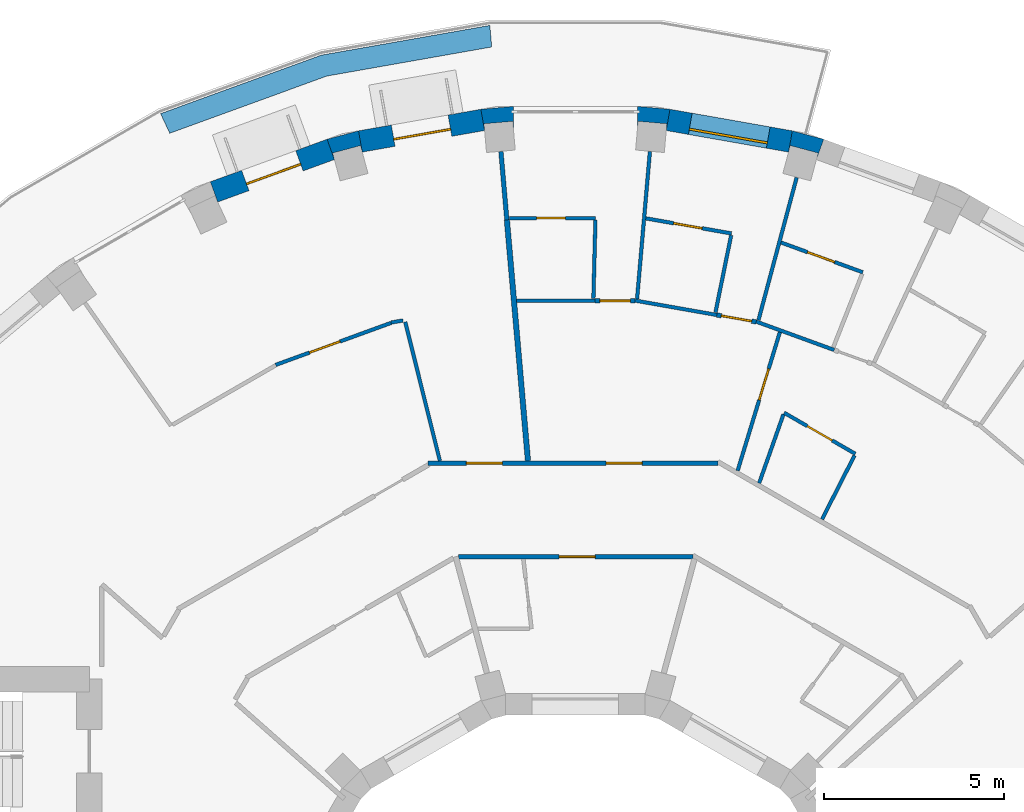
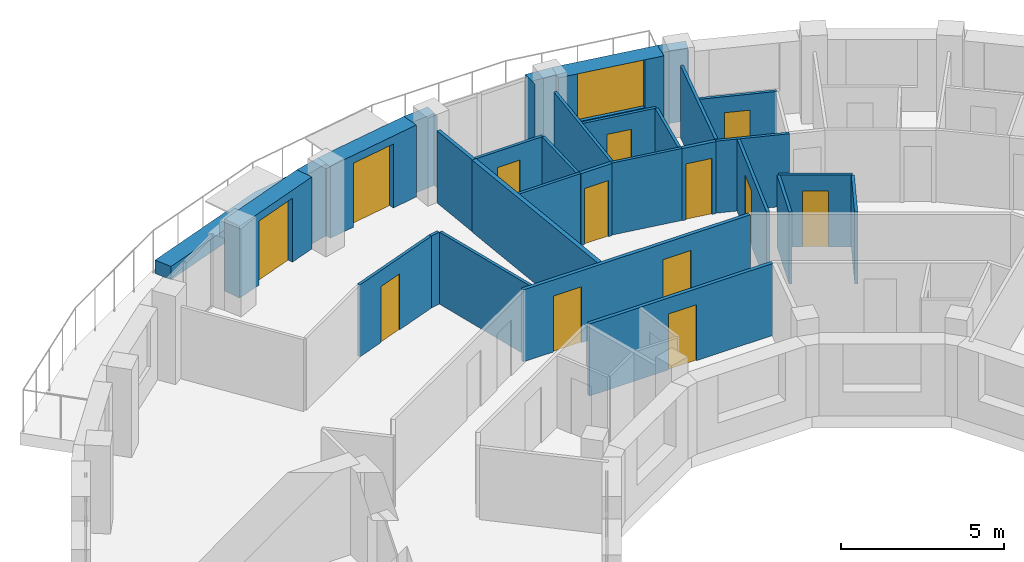
# One storey, part 11 of 14: 31 walls, 13 doors, 1 window, 14 openings.
"""IFC4 building model written with IfcOpenShell, lengths in metres."""

import ifcopenshell
import ifcopenshell.guid

model = None  # the IFC model being written
_history = None  # IfcOwnerHistory: only IFC2X3 demands one
_inside = {}  # id of a spatial element -> (the spatial element, [elements in it])
_under = {}  # id of a project, library or spatial element -> (it, [spatial elements below it])
_declared = {}  # id of a project -> (the project, [libraries it declares])
_typed = {}  # id of a type object -> (the type object, [elements of that type])
_made_of = {}  # id of a material, layer set ... -> (it, [elements and type objects made of it])


def new_model(schema):
    """Start an empty IFC model of exactly this schema.

    Asked for "IFC4X3", IfcOpenShell would pick the latest addendum, in which some entities
    have other attributes; the version numbers below select the first issue.
    IFC2X3 requires an IfcOwnerHistory on every rooted entity: one is made here for all.
    """
    global model, _history
    if schema == "IFC4X3":
        model = ifcopenshell.file(schema_version=(4, 3, 0, 0))
    else:
        model = ifcopenshell.file(schema=schema)
    _inside.clear()
    _under.clear()
    _declared.clear()
    _typed.clear()
    _made_of.clear()
    _history = None
    if model.schema == "IFC2X3":
        org = make("IfcOrganization", Name="unknown")
        user = make(
            "IfcPersonAndOrganization",
            ThePerson=make("IfcPerson", FamilyName="unknown"),
            TheOrganization=org,
        )
        app = make(
            "IfcApplication",
            ApplicationDeveloper=org,
            Version="unknown",
            ApplicationFullName="unknown",
            ApplicationIdentifier="unknown",
        )
        _history = make(
            "IfcOwnerHistory",
            OwningUser=user,
            OwningApplication=app,
            ChangeAction="ADDED",
            CreationDate=0,
        )
    return model


def make(cls, **values):
    """One entity of the class cls with the attributes given. An attribute that is None is left unset."""
    return model.create_entity(
        cls, **{name: value for name, value in values.items() if value is not None}
    )


def rooted(cls, **values):
    """An entity with a GlobalId (a new one), such as an element, a storey or a relation."""
    return make(cls, GlobalId=ifcopenshell.guid.new(), OwnerHistory=_history, **values)


def si_unit(unit_type, name, prefix=None):
    """IfcSIUnit, for example si_unit("LENGTHUNIT", "METRE", prefix="MILLI")."""
    return make("IfcSIUnit", UnitType=unit_type, Prefix=prefix, Name=name)


def assignment(units):
    """IfcUnitAssignment: the units of a project."""
    return None if units is None else make("IfcUnitAssignment", Units=units)


def point(xyz):
    """IfcCartesianPoint."""
    return None if xyz is None else make("IfcCartesianPoint", Coordinates=xyz)


def direction(xyz):
    """IfcDirection."""
    return None if xyz is None else make("IfcDirection", DirectionRatios=xyz)


def frame(location, z_axis=None, x_axis=None):
    """IfcAxis2Placement3D, a coordinate frame: its origin and axes. An axis left out is left unset."""
    return make(
        "IfcAxis2Placement3D",
        Location=point(location),
        Axis=direction(z_axis),
        RefDirection=direction(x_axis),
    )


def frame_2d(location, x_axis=None):
    """IfcAxis2Placement2D, a coordinate frame in the plane: its origin and x axis."""
    return make(
        "IfcAxis2Placement2D", Location=point(location), RefDirection=direction(x_axis)
    )


def origin():
    """The frame at (0, 0, 0) with its axes left unset."""
    return frame((0.0, 0.0, 0.0))


def place(relative_to, where):
    """IfcLocalPlacement: puts the frame where relative to a parent placement (None: the world)."""
    return make(
        "IfcLocalPlacement", PlacementRelTo=relative_to, RelativePlacement=where
    )


def context(
    kind, dimensions, precision=None, world=None, true_north=None, identifier=None
):
    """IfcGeometricRepresentationContext, for example the 3D "Model" context."""
    return make(
        "IfcGeometricRepresentationContext",
        ContextIdentifier=identifier,
        ContextType=kind,
        CoordinateSpaceDimension=dimensions,
        Precision=precision,
        WorldCoordinateSystem=world,
        TrueNorth=true_north,
    )


def subcontext(parent, identifier, kind, view, scale=None):
    """IfcGeometricRepresentationSubContext, for example "Body" below "Model"."""
    return make(
        "IfcGeometricRepresentationSubContext",
        ContextIdentifier=identifier,
        ContextType=kind,
        ParentContext=parent,
        TargetScale=scale,
        TargetView=view,
    )


def project(units=None, contexts=None):
    """IfcProject with its units and contexts."""
    return rooted(
        "IfcProject",
        Name="project",
        RepresentationContexts=contexts,
        UnitsInContext=assignment(units),
    )


def spatial(cls, under=None, at=None, **own):
    """A site, building, storey or space (cls), placed at a placement, below another one or the project."""
    s = rooted(cls, ObjectPlacement=at, **own)
    if under is not None:
        _under.setdefault(under.id(), (under, []))[1].append(s)
    return s


def polyline(points):
    """IfcPolyline through the points."""
    return make("IfcPolyline", Points=[point(p) for p in points])


def profile(cls, at=None, kind="AREA", **sizes):
    """A parametric profile (cls). Its sizes go by their IFC names, for example OverallWidth=200.0."""
    return make(cls, ProfileType=kind, Position=at, **sizes)


def rectangle(**sizes):
    """IfcRectangleProfileDef."""
    return profile("IfcRectangleProfileDef", **sizes)


def outline(outer, holes=None, kind="AREA"):
    """IfcArbitraryClosedProfileDef: a profile drawn as a closed curve; with holes, ...WithVoids."""
    if holes is None:
        return make("IfcArbitraryClosedProfileDef", ProfileType=kind, OuterCurve=outer)
    return make(
        "IfcArbitraryProfileDefWithVoids",
        ProfileType=kind,
        OuterCurve=outer,
        InnerCurves=holes,
    )


def extrude(swept, where, along, depth):
    """IfcExtrudedAreaSolid: the profile swept, set in the frame where, extruded along a direction by depth."""
    return make(
        "IfcExtrudedAreaSolid",
        SweptArea=swept,
        Position=where,
        ExtrudedDirection=direction(along),
        Depth=depth,
    )


def shape(context_of_items, identifier, shape_type, items):
    """IfcShapeRepresentation: the items that make up one representation, for example the "Body"."""
    return make(
        "IfcShapeRepresentation",
        ContextOfItems=context_of_items,
        RepresentationIdentifier=identifier,
        RepresentationType=shape_type,
        Items=items,
    )


def material(Name=None, Category=None):
    """IfcMaterial."""
    return make("IfcMaterial", Name=Name, Category=Category)


def layer(
    of_material, thickness, ventilated=None, Name=None, Category=None, Priority=None
):
    """IfcMaterialLayer: one layer of a wall or slab, of a material (None: an air gap)."""
    return make(
        "IfcMaterialLayer",
        Material=of_material,
        LayerThickness=thickness,
        IsVentilated=ventilated,
        Name=Name,
        Category=Category,
        Priority=Priority,
    )


def layer_set(layers, Name=None):
    """IfcMaterialLayerSet."""
    return make("IfcMaterialLayerSet", MaterialLayers=layers, LayerSetName=Name)


def made_of(thing, what):
    """Note that an element or type object is made of a material, layer set ...; save() writes the relation."""
    if what is not None:
        _made_of.setdefault(what.id(), (what, []))[1].append(thing)
    return thing


def type_object(cls, material=None, **own):
    """A type object (cls), such as IfcWallType, which elements share."""
    return made_of(rooted(cls, **own), material)


def element(
    cls,
    number,
    at=None,
    inside=None,
    cuts=None,
    type_object=None,
    material=None,
    context=None,
    identifier="Body",
    shape_type=None,
    held_by="IfcProductDefinitionShape",
    body=None,
    shapes=None,
    **own,
):
    """One element of the class cls, such as IfcWall. Its Tag is "e" and its number.

    at: its placement. inside: the storey or other place that contains it. cuts: it is an
    opening in that element (IfcRelVoidsElement). A single representation is given by context,
    identifier, shape_type and body (its items); several are given by shapes. held_by: the class
    of the entity that holds the representations. save() writes the other relations.
    """
    e = rooted(cls, Tag="e%d" % number, ObjectPlacement=at, **own)
    if body is not None:
        shapes = [shape(context, identifier, shape_type, body)]
    if shapes is not None:
        e.Representation = make(held_by, Representations=shapes)
    if inside is not None:
        _inside.setdefault(inside.id(), (inside, []))[1].append(e)
    if cuts is not None:
        rooted(
            "IfcRelVoidsElement", RelatingBuildingElement=cuts, RelatedOpeningElement=e
        )
    if type_object is not None:
        _typed.setdefault(type_object.id(), (type_object, []))[1].append(e)
    return made_of(e, material)


def fill(opening, filler):
    """IfcRelFillsElement: the door or window that sits in an opening."""
    return rooted(
        "IfcRelFillsElement",
        RelatingOpeningElement=opening,
        RelatedBuildingElement=filler,
    )


def aggregate(whole, parts):
    """IfcRelAggregates: a whole, such as a stair, and the parts it consists of."""
    return rooted("IfcRelAggregates", RelatingObject=whole, RelatedObjects=parts)


def save(model, path):
    """Write the relations noted so far, then the file.

    IfcRelAggregates (storeys below a building ...), IfcRelContainedInSpatialStructure (elements
    in a storey), IfcRelDefinesByType, IfcRelAssociatesMaterial and IfcRelDeclares: one each for
    every whole, place, type object, material and project.
    """
    for whole, parts in _under.values():
        aggregate(whole, parts)
    for where, things in _inside.values():
        rooted(
            "IfcRelContainedInSpatialStructure",
            RelatedElements=things,
            RelatingStructure=where,
        )
    for kind, things in _typed.values():
        rooted("IfcRelDefinesByType", RelatedObjects=things, RelatingType=kind)
    for what, things in _made_of.values():
        rooted("IfcRelAssociatesMaterial", RelatedObjects=things, RelatingMaterial=what)
    for by, libraries in _declared.values():
        rooted("IfcRelDeclares", RelatingContext=by, RelatedDefinitions=libraries)
    model.write(path)


model = new_model("IFC4")

# Units and contexts
model_context = context("Model", 3, precision=1e-05, world=origin(), true_north=direction((0.0, 1.0)))
body_context = subcontext(model_context, "Body", "Model", "MODEL_VIEW")
ifc_project = project(units=[si_unit("LENGTHUNIT", "METRE"), si_unit("AREAUNIT", "SQUARE_METRE"), si_unit("VOLUMEUNIT", "CUBIC_METRE"), si_unit("PLANEANGLEUNIT", "RADIAN"), si_unit("MASSUNIT", "GRAM", prefix="KILO")], contexts=[model_context])

# Site, building, storey
site_placement = place(None, origin())
site = spatial("IfcSite", under=ifc_project, at=site_placement, CompositionType="ELEMENT")
building_placement = place(site_placement, origin())
building = spatial("IfcBuilding", under=site, at=building_placement, Name="Saqina Gate Tower", CompositionType="ELEMENT")
storey_placement = place(building_placement, frame((0.0, 0.0, 216.89990234375)))
storey = spatial("IfcBuildingStorey", under=building, at=storey_placement, Name="L62", CompositionType="ELEMENT", Elevation=216.89990234375)

# Walls
ifc_material_1 = material(Name="Brick masonry (buff)", Category="masonry")
wall_type_1 = type_object("IfcWallType", Name="BRICK PIER COPING BUFF", PredefinedType="SOLIDWALL", material=ifc_material_1)
wall_1_placement = place(storey_placement, origin())
element("IfcWall", 1, at=wall_1_placement, inside=storey, type_object=wall_type_1, Name="Pier cap L62 column 8", PredefinedType="SOLIDWALL", context=body_context, shape_type="SweptSolid", body=[
    extrude(outline(polyline([(6.0234375, 24.22705078125), (5.919189453125, 23.635986328125), (5.967529296875, 23.81689453125), (6.740478515625, 23.610107421875), (6.69189453125, 23.428955078125), (6.897216796875, 23.992919921875), (6.0234375, 24.22705078125)])), origin(), (0.0, 0.0, 1.0), 2.7001953125),
])
wall_2_placement = place(storey_placement, origin())
element("IfcWall", 2, at=wall_2_placement, inside=storey, type_object=wall_type_1, Name="Pier cap L62 column 9", PredefinedType="SOLIDWALL", context=body_context, shape_type="SweptSolid", body=[
    extrude(outline(polyline([(2.6259765625, 24.825927734375), (1.724853515625, 24.90478515625), (1.724853515625, 24.304931640625), (1.7412109375, 24.491455078125), (2.5380859375, 24.421630859375), (2.521728515625, 24.235107421875), (2.6259765625, 24.825927734375)])), origin(), (0.0, 0.0, 1.0), 2.7001953125),
])
wall_3_placement = place(storey_placement, origin())
element("IfcWall", 3, at=wall_3_placement, inside=storey, type_object=wall_type_1, Name="Pier cap L62 column 10", PredefinedType="SOLIDWALL", context=body_context, shape_type="SweptSolid", body=[
    extrude(outline(polyline([(-1.724853515625, 24.90478515625), (-2.6259765625, 24.825927734375), (-2.521728515625, 24.235107421875), (-2.5380859375, 24.421630859375), (-1.7412109375, 24.491455078125), (-1.724853515625, 24.304931640625), (-1.724853515625, 24.90478515625)])), origin(), (0.0, 0.0, 1.0), 2.7001953125),
])
wall_4_placement = place(storey_placement, origin())
element("IfcWall", 4, at=wall_4_placement, inside=storey, type_object=wall_type_1, Name="Pier cap L62 column 11", PredefinedType="SOLIDWALL", context=body_context, shape_type="SweptSolid", body=[
    extrude(outline(polyline([(-6.0234375, 24.22705078125), (-6.897216796875, 23.992919921875), (-6.69189453125, 23.428955078125), (-6.740478515625, 23.610107421875), (-5.967529296875, 23.81689453125), (-5.919189453125, 23.635986328125), (-6.0234375, 24.22705078125)])), origin(), (0.0, 0.0, 1.0), 2.7001953125),
])

# Wall, opening, window
ifc_material_2 = material(Name="Brick masonry (buff)", Category="masonry")
ifc_layer_1 = layer(ifc_material_2, 0.60009765625)
ifc_layer_set_1 = layer_set([ifc_layer_1], Name="FW-BRICK-BUFF")
wall_type_2 = type_object("IfcWallType", Name="FW-BRICK-BUFF", PredefinedType="SOLIDWALL", material=ifc_layer_set_1)
wall_5_placement = place(storey_placement, frame((5.97119140625, 23.931640625, 0.0), z_axis=(0.0, 0.0, 1.0), x_axis=(-0.984814892183, 0.173607684551, 0.0)))
wall_5 = element("IfcWall", 5, at=wall_5_placement, inside=storey, type_object=wall_type_2, Name="Facade wall L62 facet 8", PredefinedType="SOLIDWALL", context=body_context, shape_type="SweptSolid", body=[
    extrude(rectangle(XDim=3.44970703125, YDim=0.60009765625, at=frame_2d((1.724853515625, 0.0))), origin(), (0.0, 0.0, 1.0), 2.7001953125),
])
opening_1_placement = place(wall_5_placement, frame((0.625, 0.0, 0.89990234375)))
opening_1 = element("IfcOpeningElement", 6, at=opening_1_placement, cuts=wall_5, Name="Opening G18-W06", PredefinedType="OPENING", context=body_context, shape_type="SweptSolid", body=[
    extrude(rectangle(XDim=2.199951171875, YDim=1.800048828125, at=frame_2d((1.10009765625, 0.89990234375))), frame((0.0, 0.31201171875, 0.0), z_axis=(0.0, -1.0, 0.0), x_axis=(1.0, 0.0, 0.0)), (0.0, 0.0, 1.0), 0.6240234375),
])
ifc_material_3 = material(Name="Aluminium glazing", Category="aluminium")
window_type = type_object("IfcWindowType", Name="WN-C", PartitioningType="SINGLE_PANEL", PredefinedType="WINDOW", material=ifc_material_3)
window_placement = place(opening_1_placement, origin())
window = element("IfcWindow", 7, at=window_placement, inside=storey, type_object=window_type, Name="Window L62 facet 8", OverallHeight=1.800048828125, OverallWidth=2.199951171875, PartitioningType="SINGLE_PANEL", PredefinedType="WINDOW", context=body_context, shape_type="SweptSolid", body=[
    extrude(rectangle(XDim=2.199951171875, YDim=1.800048828125, at=frame_2d((1.10009765625, 0.89990234375))), frame((0.0, 0.179931640625, 0.0), z_axis=(0.0, -1.0, 0.0), x_axis=(1.0, 0.0, 0.0)), (0.0, 0.0, 1.0), 0.06005859375),
])
fill(opening_1, window)

# Wall, opening, door
wall_6_placement = place(storey_placement, frame((-2.573974609375, 24.530517578125, 0.0), z_axis=(0.0, 0.0, 1.0), x_axis=(-0.984814892183, -0.173607684551, 0.0)))
wall_6 = element("IfcWall", 8, at=wall_6_placement, inside=storey, type_object=wall_type_2, Name="Facade wall L62 facet 10", PredefinedType="SOLIDWALL", context=body_context, shape_type="SweptSolid", body=[
    extrude(rectangle(XDim=3.44970703125, YDim=0.60009765625, at=frame_2d((1.724853515625, 0.0))), origin(), (0.0, 0.0, 1.0), 2.7001953125),
])
opening_2_placement = place(wall_6_placement, frame((0.9248046875, 0.0, 0.0)))
opening_2 = element("IfcOpeningElement", 9, at=opening_2_placement, cuts=wall_6, Name="Opening G18-D80", PredefinedType="OPENING", context=body_context, shape_type="SweptSolid", body=[
    extrude(rectangle(XDim=1.60009765625, YDim=2.39990234375, at=frame_2d((0.800048828125, 1.199951171875))), frame((0.0, 0.31201171875, 0.0), z_axis=(0.0, -1.0, 0.0), x_axis=(1.0, 0.0, 0.0)), (0.0, 0.0, 1.0), 0.6240234375),
])
ifc_material_4 = material(Name="Aluminium glazing", Category="aluminium")
door_type_1 = type_object("IfcDoorType", Name="GD-C", OperationType="DOUBLE_DOOR_SINGLE_SWING", PredefinedType="DOOR", material=ifc_material_4)
door_1_placement = place(opening_2_placement, origin())
door_1 = element("IfcDoor", 10, at=door_1_placement, inside=storey, type_object=door_type_1, Name="Terrace door L62 facet 10", OperationType="DOUBLE_DOOR_SINGLE_SWING", OverallHeight=2.39990234375, OverallWidth=1.60009765625, PredefinedType="DOOR", context=body_context, shape_type="SweptSolid", body=[
    extrude(rectangle(XDim=1.60009765625, YDim=2.39990234375, at=frame_2d((0.800048828125, 1.199951171875))), frame((0.0, 0.125, 0.0), z_axis=(0.0, -1.0, 0.0), x_axis=(1.0, 0.0, 0.0)), (0.0, 0.0, 1.0), 0.050048828125),
])
fill(opening_2, door_1)

wall_7_placement = place(storey_placement, frame((-6.79443359375, 23.7109375, 0.0), z_axis=(0.0, 0.0, 1.0), x_axis=(-0.93968799822, -0.342032843455, 0.0)))
wall_7 = element("IfcWall", 11, at=wall_7_placement, inside=storey, type_object=wall_type_2, Name="Facade wall L62 facet 11", PredefinedType="SOLIDWALL", context=body_context, shape_type="SweptSolid", body=[
    extrude(rectangle(XDim=3.44970703125, YDim=0.60009765625, at=frame_2d((1.724853515625, 0.0))), origin(), (0.0, 0.0, 1.0), 2.7001953125),
])
opening_3_placement = place(wall_7_placement, frame((0.9248046875, 0.0, 0.0)))
opening_3 = element("IfcOpeningElement", 12, at=opening_3_placement, cuts=wall_7, Name="Opening G18-D81", PredefinedType="OPENING", context=body_context, shape_type="SweptSolid", body=[
    extrude(rectangle(XDim=1.60009765625, YDim=2.39990234375, at=frame_2d((0.800048828125, 1.199951171875))), frame((0.0, 0.31201171875, 0.0), z_axis=(0.0, -1.0, 0.0), x_axis=(1.0, 0.0, 0.0)), (0.0, 0.0, 1.0), 0.6240234375),
])
door_2_placement = place(opening_3_placement, origin())
door_2 = element("IfcDoor", 13, at=door_2_placement, inside=storey, type_object=door_type_1, Name="Terrace door L62 facet 11", OperationType="DOUBLE_DOOR_SINGLE_SWING", OverallHeight=2.39990234375, OverallWidth=1.60009765625, PredefinedType="DOOR", context=body_context, shape_type="SweptSolid", body=[
    extrude(rectangle(XDim=1.60009765625, YDim=2.39990234375, at=frame_2d((0.800048828125, 1.199951171875))), frame((0.0, 0.125, 0.0), z_axis=(0.0, -1.0, 0.0), x_axis=(1.0, 0.0, 0.0)), (0.0, 0.0, 1.0), 0.050048828125),
])
fill(opening_3, door_2)

# Wall
ifc_material_5 = material(Name="Gypsum board on steel studs, 100 mm", Category="steel")
ifc_layer_2 = layer(ifc_material_5, 0.10009765625)
ifc_layer_set_2 = layer_set([ifc_layer_2], Name="PARTITION 100")
wall_type_3 = type_object("IfcWallType", Name="PARTITION 100", PredefinedType="PARTITIONING", material=ifc_layer_set_2)
wall_8_placement = place(storey_placement, frame((-4.726806640625, 18.92041015625, 0.0), z_axis=(0.0, 0.0, 1.0), x_axis=(0.242333473665, -0.970193015611, 0.0)))
element("IfcWall", 14, at=wall_8_placement, inside=storey, type_object=wall_type_3, Name="PARTITION PW3-04", PredefinedType="PARTITIONING", context=body_context, shape_type="SweptSolid", body=[
    extrude(rectangle(XDim=3.978515625, YDim=0.10009765625, at=frame_2d((1.9892578125, 0.0))), origin(), (0.0, 0.0, 1.0), 2.7001953125),
])

# Wall, opening, door
wall_9_placement = place(storey_placement, frame((5.795654296875, 16.39892578125, 0.0), z_axis=(0.0, 0.0, 1.0), x_axis=(0.866084140742, -0.499898250802, 0.0)))
wall_9 = element("IfcWall", 15, at=wall_9_placement, inside=storey, type_object=wall_type_3, Name="PARTITION PW3-30", PredefinedType="PARTITIONING", context=body_context, shape_type="SweptSolid", body=[
    extrude(rectangle(XDim=2.2841796875, YDim=0.10009765625, at=frame_2d((1.14208984375, 0.0))), origin(), (0.0, 0.0, 1.0), 2.7001953125),
])
opening_4_placement = place(wall_9_placement, frame((0.7412109375, 0.0, 0.0)))
opening_4 = element("IfcOpeningElement", 16, at=opening_4_placement, cuts=wall_9, Name="Opening G18-D09", PredefinedType="OPENING", context=body_context, shape_type="SweptSolid", body=[
    extrude(rectangle(XDim=0.800048828125, YDim=2.10009765625, at=frame_2d((0.39990234375, 1.050048828125))), frame((0.0, 0.06201171875, 0.0), z_axis=(0.0, -1.0, 0.0), x_axis=(1.0, 0.0, 0.0)), (0.0, 0.0, 1.0), 0.1240234375),
])
ifc_material_6 = material(Name="Timber door leaf, 800 mm", Category="wood")
door_type_2 = type_object("IfcDoorType", Name="DOOR 800 TIMBER", OperationType="SINGLE_SWING_LEFT", PredefinedType="DOOR", material=ifc_material_6)
door_3_placement = place(opening_4_placement, origin())
door_3 = element("IfcDoor", 17, at=door_3_placement, inside=storey, type_object=door_type_2, Name="DOOR G18-D09", OperationType="SINGLE_SWING_LEFT", OverallHeight=2.10009765625, OverallWidth=0.800048828125, PredefinedType="DOOR", context=body_context, shape_type="SweptSolid", body=[
    extrude(rectangle(XDim=0.800048828125, YDim=2.10009765625, at=frame_2d((0.39990234375, 1.050048828125))), frame((0.0, 0.02490234375, 0.0), z_axis=(0.0, -1.0, 0.0), x_axis=(1.0, 0.0, 0.0)), (0.0, 0.0, 1.0), 0.050048828125),
])
fill(opening_4, door_3)

# Wall
wall_10_placement = place(storey_placement, frame((5.020263671875, 18.929443359375, 0.0), z_axis=(0.0, 0.0, 1.0), x_axis=(0.939651079277, -0.342134256123, 0.0)))
element("IfcWall", 18, at=wall_10_placement, inside=storey, type_object=wall_type_3, Name="PARTITION PW3-36", PredefinedType="PARTITIONING", context=body_context, shape_type="SweptSolid", body=[
    extrude(rectangle(XDim=2.304931640625, YDim=0.10009765625, at=frame_2d((1.15234375, 0.0))), origin(), (0.0, 0.0, 1.0), 2.7001953125),
])

# Wall, opening, door
wall_11_placement = place(storey_placement, frame((5.71240234375, 21.124755859375, 0.0), z_axis=(0.0, 0.0, 1.0), x_axis=(0.939692991858, -0.342019123812, 0.0)))
wall_11 = element("IfcWall", 19, at=wall_11_placement, inside=storey, type_object=wall_type_3, Name="PARTITION PW3-37", PredefinedType="PARTITIONING", context=body_context, shape_type="SweptSolid", body=[
    extrude(rectangle(XDim=2.4140625, YDim=0.10009765625, at=frame_2d((1.20703125, 0.0))), origin(), (0.0, 0.0, 1.0), 2.7001953125),
])
opening_5_placement = place(wall_11_placement, frame((0.78173828125, 0.0, 0.0)))
opening_5 = element("IfcOpeningElement", 20, at=opening_5_placement, cuts=wall_11, Name="Opening G18-D11", PredefinedType="OPENING", context=body_context, shape_type="SweptSolid", body=[
    extrude(rectangle(XDim=0.800048828125, YDim=2.10009765625, at=frame_2d((0.39990234375, 1.050048828125))), frame((0.0, 0.06201171875, 0.0), z_axis=(0.0, -1.0, 0.0), x_axis=(1.0, 0.0, 0.0)), (0.0, 0.0, 1.0), 0.1240234375),
])
door_4_placement = place(opening_5_placement, origin())
door_4 = element("IfcDoor", 21, at=door_4_placement, inside=storey, type_object=door_type_2, Name="DOOR G18-D11", OperationType="SINGLE_SWING_LEFT", OverallHeight=2.10009765625, OverallWidth=0.800048828125, PredefinedType="DOOR", context=body_context, shape_type="SweptSolid", body=[
    extrude(rectangle(XDim=0.800048828125, YDim=2.10009765625, at=frame_2d((0.39990234375, 1.050048828125))), frame((0.0, 0.02490234375, 0.0), z_axis=(0.0, -1.0, 0.0), x_axis=(1.0, 0.0, 0.0)), (0.0, 0.0, 1.0), 0.050048828125),
])
fill(opening_5, door_4)

# Wall
wall_12_placement = place(storey_placement, frame((1.656005859375, 19.513916015625, 0.0), z_axis=(0.0, 0.0, 1.0), x_axis=(0.984783558818, -0.173785333909, 0.0)))
element("IfcWall", 22, at=wall_12_placement, inside=storey, type_object=wall_type_3, Name="PARTITION PW3-40", PredefinedType="PARTITIONING", context=body_context, shape_type="SweptSolid", body=[
    extrude(rectangle(XDim=2.305419921875, YDim=0.10009765625, at=frame_2d((1.15283203125, 0.0))), origin(), (0.0, 0.0, 1.0), 2.7001953125),
])

# Wall, opening, door
wall_13_placement = place(storey_placement, frame((1.957275390625, 21.79638671875, 0.0), z_axis=(0.0, 0.0, 1.0), x_axis=(0.984794754479, -0.173721879884, 0.0)))
wall_13 = element("IfcWall", 23, at=wall_13_placement, inside=storey, type_object=wall_type_3, Name="PARTITION PW3-41", PredefinedType="PARTITIONING", context=body_context, shape_type="SweptSolid", body=[
    extrude(rectangle(XDim=2.414306640625, YDim=0.10009765625, at=frame_2d((1.20703125, 0.0))), origin(), (0.0, 0.0, 1.0), 2.7001953125),
])
opening_6_placement = place(wall_13_placement, frame((0.7822265625, 0.0, 0.0)))
opening_6 = element("IfcOpeningElement", 24, at=opening_6_placement, cuts=wall_13, Name="Opening G18-D14", PredefinedType="OPENING", context=body_context, shape_type="SweptSolid", body=[
    extrude(rectangle(XDim=0.800048828125, YDim=2.10009765625, at=frame_2d((0.39990234375, 1.050048828125))), frame((0.0, 0.06201171875, 0.0), z_axis=(0.0, -1.0, 0.0), x_axis=(1.0, 0.0, 0.0)), (0.0, 0.0, 1.0), 0.1240234375),
])
door_5_placement = place(opening_6_placement, origin())
door_5 = element("IfcDoor", 25, at=door_5_placement, inside=storey, type_object=door_type_2, Name="DOOR G18-D14", OperationType="SINGLE_SWING_LEFT", OverallHeight=2.10009765625, OverallWidth=0.800048828125, PredefinedType="DOOR", context=body_context, shape_type="SweptSolid", body=[
    extrude(rectangle(XDim=0.800048828125, YDim=2.10009765625, at=frame_2d((0.39990234375, 1.050048828125))), frame((0.0, 0.02490234375, 0.0), z_axis=(0.0, -1.0, 0.0), x_axis=(1.0, 0.0, 0.0)), (0.0, 0.0, 1.0), 0.050048828125),
])
fill(opening_6, door_5)

# Wall
wall_14_placement = place(storey_placement, frame((-1.631103515625, 19.5048828125, 0.0), z_axis=(0.0, 0.0, 1.0), x_axis=(1.0, 0.0, 0.0)))
element("IfcWall", 26, at=wall_14_placement, inside=storey, type_object=wall_type_3, Name="PARTITION PW3-46", PredefinedType="PARTITIONING", context=body_context, shape_type="SweptSolid", body=[
    extrude(rectangle(XDim=2.17919921875, YDim=0.10009765625, at=frame_2d((1.089599609375, 0.0))), origin(), (0.0, 0.0, 1.0), 2.7001953125),
])

# Wall, opening, door
wall_15_placement = place(storey_placement, frame((-1.8330078125, 21.804931640625, 0.0), z_axis=(0.0, 0.0, 1.0), x_axis=(1.0, 0.0, 0.0)))
wall_15 = element("IfcWall", 27, at=wall_15_placement, inside=storey, type_object=wall_type_3, Name="PARTITION PW3-47", PredefinedType="PARTITIONING", context=body_context, shape_type="SweptSolid", body=[
    extrude(rectangle(XDim=2.389892578125, YDim=0.10009765625, at=frame_2d((1.19482421875, 0.0))), origin(), (0.0, 0.0, 1.0), 2.7001953125),
])
opening_7_placement = place(wall_15_placement, frame((0.757568359375, 0.0, 0.0)))
opening_7 = element("IfcOpeningElement", 28, at=opening_7_placement, cuts=wall_15, Name="Opening G18-D18", PredefinedType="OPENING", context=body_context, shape_type="SweptSolid", body=[
    extrude(rectangle(XDim=0.800048828125, YDim=2.10009765625, at=frame_2d((0.39990234375, 1.050048828125))), frame((0.0, 0.06201171875, 0.0), z_axis=(0.0, -1.0, 0.0), x_axis=(1.0, 0.0, 0.0)), (0.0, 0.0, 1.0), 0.1240234375),
])
door_6_placement = place(opening_7_placement, origin())
door_6 = element("IfcDoor", 29, at=door_6_placement, inside=storey, type_object=door_type_2, Name="DOOR G18-D18", OperationType="SINGLE_SWING_LEFT", OverallHeight=2.10009765625, OverallWidth=0.800048828125, PredefinedType="DOOR", context=body_context, shape_type="SweptSolid", body=[
    extrude(rectangle(XDim=0.800048828125, YDim=2.10009765625, at=frame_2d((0.39990234375, 1.050048828125))), frame((0.0, 0.02490234375, 0.0), z_axis=(0.0, -1.0, 0.0), x_axis=(1.0, 0.0, 0.0)), (0.0, 0.0, 1.0), 0.050048828125),
])
fill(opening_7, door_6)

# Wall
wall_16_placement = place(storey_placement, frame((-5.117919921875, 18.903076171875, 0.0), z_axis=(0.0, 0.0, 1.0), x_axis=(0.984687952064, 0.174326237439, 0.0)))
element("IfcWall", 30, at=wall_16_placement, inside=storey, type_object=wall_type_3, Name="PARTITION PW3-49", PredefinedType="PARTITIONING", context=body_context, shape_type="SweptSolid", body=[
    extrude(rectangle(XDim=0.334716796875, YDim=0.10009765625, at=frame_2d((0.16748046875, 0.0))), origin(), (0.0, 0.0, 1.0), 2.7001953125),
])

# Wall, opening, door
wall_17_placement = place(storey_placement, frame((-8.32470703125, 17.7265625, 0.0), z_axis=(0.0, 0.0, 1.0), x_axis=(0.939672327812, 0.342075892668, 0.0)))
wall_17 = element("IfcWall", 31, at=wall_17_placement, inside=storey, type_object=wall_type_3, Name="PARTITION PW3-52", PredefinedType="PARTITIONING", context=body_context, shape_type="SweptSolid", body=[
    extrude(rectangle(XDim=3.415771484375, YDim=0.10009765625, at=frame_2d((1.7080078125, 0.0))), origin(), (0.0, 0.0, 1.0), 2.7001953125),
])
opening_8_placement = place(wall_17_placement, frame((1.00390625, 0.0, 0.0)))
opening_8 = element("IfcOpeningElement", 32, at=opening_8_placement, cuts=wall_17, Name="Opening G18-D22", PredefinedType="OPENING", context=body_context, shape_type="SweptSolid", body=[
    extrude(rectangle(XDim=0.89990234375, YDim=2.10009765625, at=frame_2d((0.449951171875, 1.050048828125))), frame((0.0, 0.06201171875, 0.0), z_axis=(0.0, -1.0, 0.0), x_axis=(1.0, 0.0, 0.0)), (0.0, 0.0, 1.0), 0.1240234375),
])
ifc_material_7 = material(Name="Timber door leaf, 900 mm", Category="wood")
door_type_3 = type_object("IfcDoorType", Name="DOOR 900 TIMBER", OperationType="SINGLE_SWING_LEFT", PredefinedType="DOOR", material=ifc_material_7)
door_7_placement = place(opening_8_placement, frame((0.89990234375, 0.0, 0.0), z_axis=(0.0, 0.0, 1.0), x_axis=(-1.0, 0.0, 0.0)))
door_7 = element("IfcDoor", 33, at=door_7_placement, inside=storey, type_object=door_type_3, Name="DOOR G18-D22", OperationType="SINGLE_SWING_RIGHT", OverallHeight=2.10009765625, OverallWidth=0.89990234375, PredefinedType="DOOR", context=body_context, shape_type="SweptSolid", body=[
    extrude(rectangle(XDim=0.89990234375, YDim=2.10009765625, at=frame_2d((0.449951171875, 1.050048828125))), frame((0.0, 0.02490234375, 0.0), z_axis=(0.0, -1.0, 0.0), x_axis=(1.0, 0.0, 0.0)), (0.0, 0.0, 1.0), 0.050048828125),
])
fill(opening_8, door_7)

# Walls
wall_18_placement = place(storey_placement, frame((6.84765625, 13.439208984375, 0.0), z_axis=(0.0, 0.0, 1.0), x_axis=(0.454028802768, 0.890987006784, 0.0)))
element("IfcWall", 34, at=wall_18_placement, inside=storey, type_object=wall_type_3, Name="PARTITION PW3-77", PredefinedType="PARTITIONING", context=body_context, shape_type="SweptSolid", body=[
    extrude(rectangle(XDim=1.988037109375, YDim=0.10009765625, at=frame_2d((0.994140625, 0.0))), origin(), (0.0, 0.0, 1.0), 2.7001953125),
])
wall_19_placement = place(storey_placement, frame((5.10302734375, 14.4453125, 0.0), z_axis=(0.0, 0.0, 1.0), x_axis=(0.333281339962, 0.942827422402, 0.0)))
element("IfcWall", 35, at=wall_19_placement, inside=storey, type_object=wall_type_3, Name="PARTITION PW3-84", PredefinedType="PARTITIONING", context=body_context, shape_type="SweptSolid", body=[
    extrude(rectangle(XDim=2.02099609375, YDim=0.10009765625, at=frame_2d((1.010498046875, 0.0))), origin(), (0.0, 0.0, 1.0), 2.7001953125),
])

# Wall, opening, door
wall_20_placement = place(storey_placement, frame((4.5048828125, 14.789794921875, 0.0), z_axis=(0.0, 0.0, 1.0), x_axis=(0.291610860107, 0.956537038628, 0.0)))
wall_20 = element("IfcWall", 36, at=wall_20_placement, inside=storey, type_object=wall_type_3, Name="PARTITION PW3-85", PredefinedType="PARTITIONING", context=body_context, shape_type="SweptSolid", body=[
    extrude(rectangle(XDim=4.02197265625, YDim=0.10009765625, at=frame_2d((2.010986328125, 0.0))), origin(), (0.0, 0.0, 1.0), 2.7001953125),
])
opening_9_placement = place(wall_20_placement, frame((2.0546875, 0.0, 0.0)))
opening_9 = element("IfcOpeningElement", 37, at=opening_9_placement, cuts=wall_20, Name="Opening G18-D12", PredefinedType="OPENING", context=body_context, shape_type="SweptSolid", body=[
    extrude(rectangle(XDim=0.89990234375, YDim=2.10009765625, at=frame_2d((0.449951171875, 1.050048828125))), frame((0.0, 0.06201171875, 0.0), z_axis=(0.0, -1.0, 0.0), x_axis=(1.0, 0.0, 0.0)), (0.0, 0.0, 1.0), 0.1240234375),
])
door_8_placement = place(opening_9_placement, frame((0.89990234375, 0.0, 0.0), z_axis=(0.0, 0.0, 1.0), x_axis=(-1.0, 0.0, 0.0)))
door_8 = element("IfcDoor", 38, at=door_8_placement, inside=storey, type_object=door_type_3, Name="DOOR G18-D12", OperationType="SINGLE_SWING_RIGHT", OverallHeight=2.10009765625, OverallWidth=0.89990234375, PredefinedType="DOOR", context=body_context, shape_type="SweptSolid", body=[
    extrude(rectangle(XDim=0.89990234375, YDim=2.10009765625, at=frame_2d((0.449951171875, 1.050048828125))), frame((0.0, 0.02490234375, 0.0), z_axis=(0.0, -1.0, 0.0), x_axis=(1.0, 0.0, 0.0)), (0.0, 0.0, 1.0), 0.050048828125),
])
fill(opening_9, door_8)

# Walls
wall_21_placement = place(storey_placement, frame((5.084228515625, 18.972412109375, 0.0), z_axis=(0.0, 0.0, 1.0), x_axis=(0.258608038295, 0.965982340692, 0.0)))
element("IfcWall", 39, at=wall_21_placement, inside=storey, type_object=wall_type_3, Name="PARTITION PW3-87", PredefinedType="PARTITIONING", context=body_context, shape_type="SweptSolid", body=[
    extrude(rectangle(XDim=4.09814453125, YDim=0.10009765625, at=frame_2d((2.049072265625, 0.0))), origin(), (0.0, 0.0, 1.0), 2.7001953125),
])
wall_22_placement = place(storey_placement, frame((3.889404296875, 19.183349609375, 0.0), z_axis=(0.0, 0.0, 1.0), x_axis=(0.199033137994, 0.979992760167, 0.0)))
element("IfcWall", 40, at=wall_22_placement, inside=storey, type_object=wall_type_3, Name="PARTITION PW3-89", PredefinedType="PARTITIONING", context=body_context, shape_type="SweptSolid", body=[
    extrude(rectangle(XDim=2.188232421875, YDim=0.10009765625, at=frame_2d((1.09423828125, 0.0))), origin(), (0.0, 0.0, 1.0), 2.7001953125),
])
wall_23_placement = place(storey_placement, frame((1.711669921875, 19.5546875, 0.0), z_axis=(0.0, 0.0, 1.0), x_axis=(0.086893599578, 0.996217597893, 0.0)))
element("IfcWall", 41, at=wall_23_placement, inside=storey, type_object=wall_type_3, Name="PARTITION PW3-91", PredefinedType="PARTITIONING", context=body_context, shape_type="SweptSolid", body=[
    extrude(rectangle(XDim=4.110595703125, YDim=0.10009765625, at=frame_2d((2.05517578125, 0.0))), origin(), (0.0, 0.0, 1.0), 2.7001953125),
])
wall_24_placement = place(storey_placement, frame((0.49951171875, 19.5673828125, 0.0), z_axis=(0.0, 0.0, 1.0), x_axis=(0.025658328011, 0.999670770906, 0.0)))
element("IfcWall", 42, at=wall_24_placement, inside=storey, type_object=wall_type_3, Name="PARTITION PW3-93", PredefinedType="PARTITIONING", context=body_context, shape_type="SweptSolid", body=[
    extrude(rectangle(XDim=2.1884765625, YDim=0.10009765625, at=frame_2d((1.09423828125, 0.0))), origin(), (0.0, 0.0, 1.0), 2.7001953125),
])
ifc_material_8 = material(Name="Gypsum board on steel studs, 125 mm, fire rated", Category="steel")
ifc_layer_3 = layer(ifc_material_8, 0.125)
ifc_layer_set_3 = layer_set([ifc_layer_3], Name="PARTITION EI 30 125")
wall_type_4 = type_object("IfcWallType", Name="PARTITION EI 30 125", PredefinedType="PARTITIONING", material=ifc_layer_set_3)
wall_25_placement = place(storey_placement, frame((-2.06884765625, 23.649658203125, 0.0), z_axis=(0.0, 0.0, 1.0), x_axis=(0.086912141591, -0.99621598042, 0.0)))
element("IfcWall", 43, at=wall_25_placement, inside=storey, type_object=wall_type_4, Name="PARTITION PW1-01", PredefinedType="PARTITIONING", context=body_context, shape_type="SweptSolid", body=[
    extrude(rectangle(XDim=1.901611328125, YDim=0.125, at=frame_2d((0.95068359375, 0.0))), origin(), (0.0, 0.0, 1.0), 2.7001953125),
])

# Wall, opening, door
wall_26_placement = place(storey_placement, frame((3.92626953125, 19.11328125, 0.0), z_axis=(0.0, 0.0, 1.0), x_axis=(0.984810132848, -0.173634680406, 0.0)))
wall_26 = element("IfcWall", 44, at=wall_26_placement, inside=storey, type_object=wall_type_4, Name="PARTITION PW1-26", PredefinedType="PARTITIONING", context=body_context, shape_type="SweptSolid", body=[
    extrude(rectangle(XDim=1.109375, YDim=0.125, at=frame_2d((0.5546875, 0.0))), origin(), (0.0, 0.0, 1.0), 2.7001953125),
])
opening_10_placement = place(wall_26_placement, frame((0.129638671875, 0.0, 0.0)))
opening_10 = element("IfcOpeningElement", 45, at=opening_10_placement, cuts=wall_26, Name="Opening G18-D13", PredefinedType="OPENING", context=body_context, shape_type="SweptSolid", body=[
    extrude(rectangle(XDim=0.85009765625, YDim=2.10009765625, at=frame_2d((0.425048828125, 1.050048828125))), frame((0.0, 0.074462890625, 0.0), z_axis=(0.0, -1.0, 0.0), x_axis=(1.0, 0.0, 0.0)), (0.0, 0.0, 1.0), 0.14892578125),
])
ifc_material_9 = material(Name="Fire door leaf EI 30, 850 mm")
door_type_4 = type_object("IfcDoorType", Name="DOOR 850 EI 30", OperationType="SINGLE_SWING_LEFT", PredefinedType="DOOR", material=ifc_material_9)
door_9_placement = place(opening_10_placement, frame((0.85009765625, 0.0, 0.0), z_axis=(0.0, 0.0, 1.0), x_axis=(-1.0, 0.0, 0.0)))
door_9 = element("IfcDoor", 46, at=door_9_placement, inside=storey, type_object=door_type_4, Name="DOOR G18-D13", OperationType="SINGLE_SWING_LEFT", OverallHeight=2.10009765625, OverallWidth=0.85009765625, PredefinedType="DOOR", context=body_context, shape_type="SweptSolid", body=[
    extrude(rectangle(XDim=0.85009765625, YDim=2.10009765625, at=frame_2d((0.425048828125, 1.050048828125))), frame((0.0, 0.02490234375, 0.0), z_axis=(0.0, -1.0, 0.0), x_axis=(1.0, 0.0, 0.0)), (0.0, 0.0, 1.0), 0.050048828125),
])
fill(opening_10, door_9)

wall_27_placement = place(storey_placement, frame((-3.248046875, 12.39990234375, 0.0), z_axis=(0.0, 0.0, 1.0), x_axis=(1.0, 0.0, 0.0)))
wall_27 = element("IfcWall", 47, at=wall_27_placement, inside=storey, type_object=wall_type_4, Name="PARTITION PW1-30", PredefinedType="PARTITIONING", context=body_context, shape_type="SweptSolid", body=[
    extrude(rectangle(XDim=6.508544921875, YDim=0.125, at=frame_2d((3.25439453125, 0.0))), origin(), (0.0, 0.0, 1.0), 2.7001953125),
])
opening_11_placement = place(wall_27_placement, frame((2.798583984375, 0.0, 0.0)))
opening_11 = element("IfcOpeningElement", 48, at=opening_11_placement, cuts=wall_27, Name="Opening G18-D17", PredefinedType="OPENING", context=body_context, shape_type="SweptSolid", body=[
    extrude(rectangle(XDim=1.0, YDim=2.10009765625, at=frame_2d((0.5, 1.050048828125))), frame((0.0, 0.074462890625, 0.0), z_axis=(0.0, -1.0, 0.0), x_axis=(1.0, 0.0, 0.0)), (0.0, 0.0, 1.0), 0.14892578125),
])
ifc_material_10 = material(Name="Fire door leaf EI 30, 1000 mm")
door_type_5 = type_object("IfcDoorType", Name="DOOR 1000 EI 30", OperationType="SINGLE_SWING_LEFT", PredefinedType="DOOR", material=ifc_material_10)
door_10_placement = place(opening_11_placement, frame((1.0, 0.0, 0.0), z_axis=(0.0, 0.0, 1.0), x_axis=(-1.0, 0.0, 0.0)))
door_10 = element("IfcDoor", 49, at=door_10_placement, inside=storey, type_object=door_type_5, Name="DOOR G18-D17", OperationType="SINGLE_SWING_LEFT", OverallHeight=2.10009765625, OverallWidth=1.0, PredefinedType="DOOR", context=body_context, shape_type="SweptSolid", body=[
    extrude(rectangle(XDim=1.0, YDim=2.10009765625, at=frame_2d((0.5, 1.050048828125))), frame((0.0, 0.02490234375, 0.0), z_axis=(0.0, -1.0, 0.0), x_axis=(1.0, 0.0, 0.0)), (0.0, 0.0, 1.0), 0.050048828125),
])
fill(opening_11, door_10)

# Wall, openings, doors
wall_28_placement = place(storey_placement, frame((-4.091064453125, 15.0, 0.0), z_axis=(0.0, 0.0, 1.0), x_axis=(1.0, 0.0, 0.0)))
wall_28 = element("IfcWall", 50, at=wall_28_placement, inside=storey, type_object=wall_type_4, Name="PARTITION PW1-31", PredefinedType="PARTITIONING", context=body_context, shape_type="SweptSolid", body=[
    extrude(rectangle(XDim=8.047607421875, YDim=0.125, at=frame_2d((4.02392578125, 0.0))), origin(), (0.0, 0.0, 1.0), 2.7001953125),
])
opening_12_placement = place(wall_28_placement, frame((4.944580078125, 0.0, 0.0)))
opening_12 = element("IfcOpeningElement", 51, at=opening_12_placement, cuts=wall_28, Name="Opening G18-D15", PredefinedType="OPENING", context=body_context, shape_type="SweptSolid", body=[
    extrude(rectangle(XDim=1.0, YDim=2.10009765625, at=frame_2d((0.5, 1.050048828125))), frame((0.0, 0.074462890625, 0.0), z_axis=(0.0, -1.0, 0.0), x_axis=(1.0, 0.0, 0.0)), (0.0, 0.0, 1.0), 0.14892578125),
])
opening_13_placement = place(wall_28_placement, frame((1.0615234375, 0.0, 0.0)))
opening_13 = element("IfcOpeningElement", 52, at=opening_13_placement, cuts=wall_28, Name="Opening G18-D20", PredefinedType="OPENING", context=body_context, shape_type="SweptSolid", body=[
    extrude(rectangle(XDim=1.0, YDim=2.10009765625, at=frame_2d((0.5, 1.050048828125))), frame((0.0, 0.074462890625, 0.0), z_axis=(0.0, -1.0, 0.0), x_axis=(1.0, 0.0, 0.0)), (0.0, 0.0, 1.0), 0.14892578125),
])
door_11_placement = place(opening_12_placement, origin())
door_11 = element("IfcDoor", 53, at=door_11_placement, inside=storey, type_object=door_type_5, Name="DOOR G18-D15", OperationType="SINGLE_SWING_RIGHT", OverallHeight=2.10009765625, OverallWidth=1.0, PredefinedType="DOOR", context=body_context, shape_type="SweptSolid", body=[
    extrude(rectangle(XDim=1.0, YDim=2.10009765625, at=frame_2d((0.5, 1.050048828125))), frame((0.0, 0.02490234375, 0.0), z_axis=(0.0, -1.0, 0.0), x_axis=(1.0, 0.0, 0.0)), (0.0, 0.0, 1.0), 0.050048828125),
])
fill(opening_12, door_11)
door_12_placement = place(opening_13_placement, origin())
door_12 = element("IfcDoor", 54, at=door_12_placement, inside=storey, type_object=door_type_5, Name="DOOR G18-D20", OperationType="SINGLE_SWING_RIGHT", OverallHeight=2.10009765625, OverallWidth=1.0, PredefinedType="DOOR", context=body_context, shape_type="SweptSolid", body=[
    extrude(rectangle(XDim=1.0, YDim=2.10009765625, at=frame_2d((0.5, 1.050048828125))), frame((0.0, 0.02490234375, 0.0), z_axis=(0.0, -1.0, 0.0), x_axis=(1.0, 0.0, 0.0)), (0.0, 0.0, 1.0), 0.050048828125),
])
fill(opening_13, door_12)

# Wall, opening, door
wall_29_placement = place(storey_placement, frame((0.548095703125, 19.5048828125, 0.0), z_axis=(0.0, 0.0, 1.0), x_axis=(1.0, 0.0, 0.0)))
wall_29 = element("IfcWall", 55, at=wall_29_placement, inside=storey, type_object=wall_type_4, Name="PARTITION PW1-32", PredefinedType="PARTITIONING", context=body_context, shape_type="SweptSolid", body=[
    extrude(rectangle(XDim=1.10791015625, YDim=0.125, at=frame_2d((0.553955078125, 0.0))), origin(), (0.0, 0.0, 1.0), 2.7001953125),
])
opening_14_placement = place(wall_29_placement, frame((0.12890625, 0.0, 0.0)))
opening_14 = element("IfcOpeningElement", 56, at=opening_14_placement, cuts=wall_29, Name="Opening G18-D16", PredefinedType="OPENING", context=body_context, shape_type="SweptSolid", body=[
    extrude(rectangle(XDim=0.85009765625, YDim=2.10009765625, at=frame_2d((0.425048828125, 1.050048828125))), frame((0.0, 0.074462890625, 0.0), z_axis=(0.0, -1.0, 0.0), x_axis=(1.0, 0.0, 0.0)), (0.0, 0.0, 1.0), 0.14892578125),
])
door_13_placement = place(opening_14_placement, frame((0.85009765625, 0.0, 0.0), z_axis=(0.0, 0.0, 1.0), x_axis=(-1.0, 0.0, 0.0)))
door_13 = element("IfcDoor", 57, at=door_13_placement, inside=storey, type_object=door_type_4, Name="DOOR G18-D16", OperationType="SINGLE_SWING_LEFT", OverallHeight=2.10009765625, OverallWidth=0.85009765625, PredefinedType="DOOR", context=body_context, shape_type="SweptSolid", body=[
    extrude(rectangle(XDim=0.85009765625, YDim=2.10009765625, at=frame_2d((0.425048828125, 1.050048828125))), frame((0.0, 0.02490234375, 0.0), z_axis=(0.0, -1.0, 0.0), x_axis=(1.0, 0.0, 0.0)), (0.0, 0.0, 1.0), 0.050048828125),
])
fill(opening_14, door_13)

# Walls
ifc_material_11 = material(Name="Gypsum board on steel studs, 150 mm, fire rated", Category="steel")
ifc_layer_4 = layer(ifc_material_11, 0.14990234375)
ifc_layer_set_4 = layer_set([ifc_layer_4], Name="PARTITION EI 60 150")
wall_type_5 = type_object("IfcWallType", Name="PARTITION EI 60 150", PredefinedType="PARTITIONING", material=ifc_layer_set_4)
wall_30_placement = place(storey_placement, frame((-1.903076171875, 21.75537109375, 0.0), z_axis=(0.0, 0.0, 1.0), x_axis=(0.087173711796, -0.99619312584, 0.0)))
element("IfcWall", 58, at=wall_30_placement, inside=storey, type_object=wall_type_5, Name="PARTITION PW2-01", PredefinedType="PARTITIONING", context=body_context, shape_type="SweptSolid", body=[
    extrude(rectangle(XDim=6.71875, YDim=0.14990234375, at=frame_2d((3.359375, 0.0))), origin(), (0.0, 0.0, 1.0), 2.7001953125),
])
ifc_material_12 = material(Name="Brick masonry (red)", Category="masonry")
ifc_layer_5 = layer(ifc_material_12, 0.60009765625)
ifc_layer_set_5 = layer_set([ifc_layer_5], Name="PL-PLANTER")
wall_type_6 = type_object("IfcWallType", Name="PL-PLANTER", PredefinedType="PARAPET", material=ifc_layer_set_5)
wall_31_placement = place(storey_placement, origin())
element("IfcWall", 59, at=wall_31_placement, inside=storey, type_object=wall_type_6, Name="Planter L62", PredefinedType="PARAPET", context=body_context, shape_type="SweptSolid", body=[
    extrude(outline(polyline([(-2.375732421875, 27.15478515625), (-7.054931640625, 26.329833984375), (-11.52001953125, 24.70458984375), (-11.265380859375, 24.15869140625), (-6.899169921875, 25.748046875), (-2.3232421875, 26.554931640625), (-2.375732421875, 27.15478515625)])), origin(), (0.0, 0.0, 1.0), 0.5),
])

save(model, "model.ifc")
